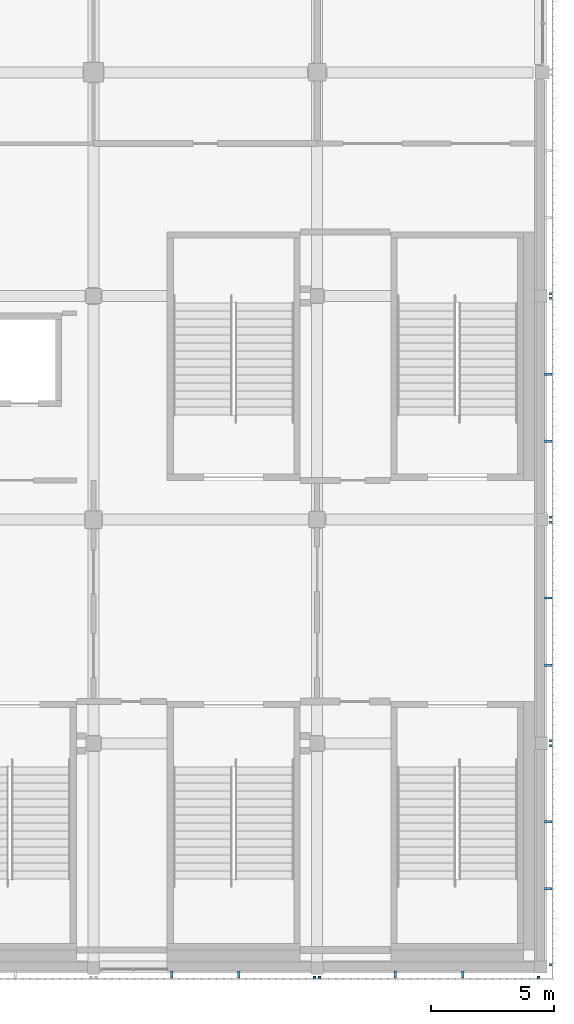
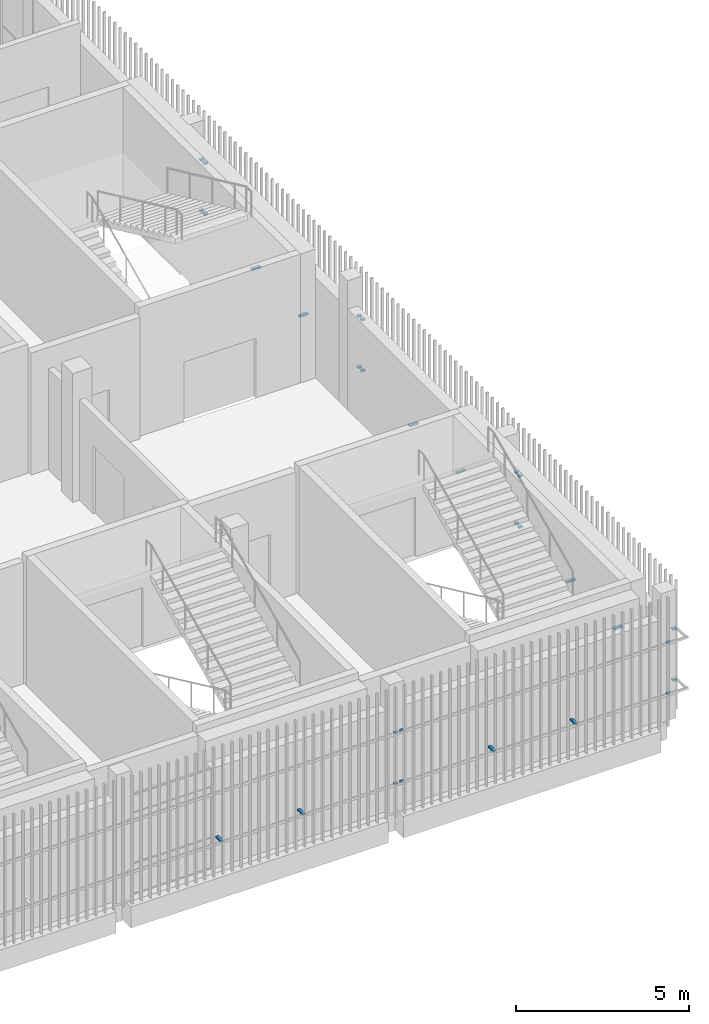
# One storey, part 109 of 139: 30 discrete accessories.
"""IFC4 building model written with IfcOpenShell, lengths in metres."""

from ifc_helpers import new_model, si_unit, direction, frame, origin, origin_2d, place, context, subcontext, project, spatial, rectangle, extrude, material, type_object, element, save


model = new_model("IFC4")

# Units and contexts
model_context = context("Model", 3, precision=1e-05, world=origin(), true_north=direction((0.0, 1.0)))
body_context = subcontext(model_context, "Body", "Model", "MODEL_VIEW")
ifc_project = project(units=[si_unit("LENGTHUNIT", "METRE"), si_unit("AREAUNIT", "SQUARE_METRE"), si_unit("VOLUMEUNIT", "CUBIC_METRE"), si_unit("PLANEANGLEUNIT", "RADIAN"), si_unit("MASSUNIT", "GRAM", prefix="KILO")], contexts=[model_context])

# Site, building, storey
site_placement = place(None, origin())
site = spatial("IfcSite", under=ifc_project, at=site_placement, CompositionType="ELEMENT")
building_placement = place(site_placement, origin())
building = spatial("IfcBuilding", under=site, at=building_placement, Name="Shirokan Park Arena", CompositionType="ELEMENT")
storey_placement = place(building_placement, frame((0.0, 0.0, 15.469970703125)))
storey = spatial("IfcBuildingStorey", under=building, at=storey_placement, Name="L03", CompositionType="ELEMENT", Elevation=15.469970703125)

# Discrete accessories
ifc_material = material(Name="Steel S355", Category="steel")
discrete_accessory_type = type_object("IfcDiscreteAccessoryType", Name="Veil bracket 100x60", PredefinedType="BRACKET", material=ifc_material)
for number, where, z_axis, x_axis, name in (
    (1, (136.39990234375, -0.409912109375, 1.070068359375), (0.0, 0.0, 1.0), (1.0, 0.0, 0.0), "Veil bracket south bay 15 L03 2"),
    (2, (136.39990234375, -0.409912109375, 2.8701171875), (0.0, 0.0, 1.0), (1.0, 0.0, 0.0), "Veil bracket south bay 15 L03 4"),
):
    element("IfcDiscreteAccessory", number, at=place(storey_placement, frame(where, z_axis=z_axis, x_axis=x_axis)), inside=storey, type_object=discrete_accessory_type, Name=name, PredefinedType="BRACKET", context=body_context, shape_type="SweptSolid", body=[
        extrude(rectangle(XDim=0.10009765625, YDim=0.070068359375, at=origin_2d()), origin(), (0.0, 0.0, 1.0), 0.06005859375),
    ])
for number, where, z_axis, x_axis, name in (
    (3, (130.5849609375, -0.297607421875, 1.070068359375), (0.0, 0.0, 1.0), (1.0, 0.0, 0.0), "Veil bracket south bay 15 L03 wall 1"),
    (4, (133.31494140625, -0.297607421875, 1.070068359375), (0.0, 0.0, 1.0), (1.0, 0.0, 0.0), "Veil bracket south bay 15 L03 wall 2"),
):
    element("IfcDiscreteAccessory", number, at=place(storey_placement, frame(where, z_axis=z_axis, x_axis=x_axis)), inside=storey, type_object=discrete_accessory_type, Name=name, PredefinedType="BRACKET", context=body_context, shape_type="SweptSolid", body=[
        extrude(rectangle(XDim=0.10009765625, YDim=0.294921875, at=origin_2d()), origin(), (0.0, 0.0, 1.0), 0.06005859375),
    ])
for number, where, z_axis, x_axis, name in (
    (5, (136.60009765625, -0.409912109375, 1.070068359375), (0.0, 0.0, 1.0), (1.0, 0.0, 0.0), "Veil bracket south bay 16 L03 1"),
    (6, (145.5, -0.409912109375, 1.070068359375), (0.0, 0.0, 1.0), (1.0, 0.0, 0.0), "Veil bracket south bay 16 L03 2"),
    (7, (136.60009765625, -0.409912109375, 2.8701171875), (0.0, 0.0, 1.0), (1.0, 0.0, 0.0), "Veil bracket south bay 16 L03 3"),
    (8, (145.5, -0.409912109375, 2.8701171875), (0.0, 0.0, 1.0), (1.0, 0.0, 0.0), "Veil bracket south bay 16 L03 4"),
):
    element("IfcDiscreteAccessory", number, at=place(storey_placement, frame(where, z_axis=z_axis, x_axis=x_axis)), inside=storey, type_object=discrete_accessory_type, Name=name, PredefinedType="BRACKET", context=body_context, shape_type="SweptSolid", body=[
        extrude(rectangle(XDim=0.10009765625, YDim=0.070068359375, at=origin_2d()), origin(), (0.0, 0.0, 1.0), 0.06005859375),
    ])
for number, where, z_axis, x_axis, name in (
    (9, (139.68505859375, -0.297607421875, 1.070068359375), (0.0, 0.0, 1.0), (1.0, 0.0, 0.0), "Veil bracket south bay 16 L03 wall 1"),
    (10, (142.4150390625, -0.297607421875, 1.070068359375), (0.0, 0.0, 1.0), (1.0, 0.0, 0.0), "Veil bracket south bay 16 L03 wall 2"),
):
    element("IfcDiscreteAccessory", number, at=place(storey_placement, frame(where, z_axis=z_axis, x_axis=x_axis)), inside=storey, type_object=discrete_accessory_type, Name=name, PredefinedType="BRACKET", context=body_context, shape_type="SweptSolid", body=[
        extrude(rectangle(XDim=0.10009765625, YDim=0.294921875, at=origin_2d()), origin(), (0.0, 0.0, 1.0), 0.06005859375),
    ])
for number, where, z_axis, x_axis, name in (
    (11, (145.985107421875, 0.10009765625, 1.070068359375), (0.0, 0.0, 1.0), (0.0, 1.0, 0.0), "Veil bracket east bay 1 L03 1"),
    (12, (145.985107421875, 9.0, 1.070068359375), (0.0, 0.0, 1.0), (0.0, 1.0, 0.0), "Veil bracket east bay 1 L03 2"),
    (13, (145.985107421875, 0.10009765625, 2.8701171875), (0.0, 0.0, 1.0), (0.0, 1.0, 0.0), "Veil bracket east bay 1 L03 3"),
    (14, (145.985107421875, 9.0, 2.8701171875), (0.0, 0.0, 1.0), (0.0, 1.0, 0.0), "Veil bracket east bay 1 L03 4"),
):
    element("IfcDiscreteAccessory", number, at=place(storey_placement, frame(where, z_axis=z_axis, x_axis=x_axis)), inside=storey, type_object=discrete_accessory_type, Name=name, PredefinedType="BRACKET", context=body_context, shape_type="SweptSolid", body=[
        extrude(rectangle(XDim=0.10009765625, YDim=0.1201171875, at=origin_2d()), origin(), (0.0, 0.0, 1.0), 0.06005859375),
    ])
for number, where, z_axis, x_axis, name in (
    (15, (145.8974609375, 3.18505859375, 1.070068359375), (0.0, 0.0, 1.0), (0.0, 1.0, 0.0), "Veil bracket east bay 1 L03 wall 1"),
    (16, (145.8974609375, 5.9150390625, 1.070068359375), (0.0, 0.0, 1.0), (0.0, 1.0, 0.0), "Veil bracket east bay 1 L03 wall 2"),
):
    element("IfcDiscreteAccessory", number, at=place(storey_placement, frame(where, z_axis=z_axis, x_axis=x_axis)), inside=storey, type_object=discrete_accessory_type, Name=name, PredefinedType="BRACKET", context=body_context, shape_type="SweptSolid", body=[
        extrude(rectangle(XDim=0.10009765625, YDim=0.294921875, at=origin_2d()), origin(), (0.0, 0.0, 1.0), 0.06005859375),
    ])
for number, where, z_axis, x_axis, name in (
    (17, (145.985107421875, 9.199951171875, 1.070068359375), (0.0, 0.0, 1.0), (0.0, 1.0, 0.0), "Veil bracket east bay 2 L03 1"),
    (18, (145.985107421875, 18.10009765625, 1.070068359375), (0.0, 0.0, 1.0), (0.0, 1.0, 0.0), "Veil bracket east bay 2 L03 2"),
    (19, (145.985107421875, 9.199951171875, 2.8701171875), (0.0, 0.0, 1.0), (0.0, 1.0, 0.0), "Veil bracket east bay 2 L03 3"),
    (20, (145.985107421875, 18.10009765625, 2.8701171875), (0.0, 0.0, 1.0), (0.0, 1.0, 0.0), "Veil bracket east bay 2 L03 4"),
):
    element("IfcDiscreteAccessory", number, at=place(storey_placement, frame(where, z_axis=z_axis, x_axis=x_axis)), inside=storey, type_object=discrete_accessory_type, Name=name, PredefinedType="BRACKET", context=body_context, shape_type="SweptSolid", body=[
        extrude(rectangle(XDim=0.10009765625, YDim=0.1201171875, at=origin_2d()), origin(), (0.0, 0.0, 1.0), 0.06005859375),
    ])
for number, where, z_axis, x_axis, name in (
    (21, (145.8974609375, 12.284912109375, 1.070068359375), (0.0, 0.0, 1.0), (0.0, 1.0, 0.0), "Veil bracket east bay 2 L03 wall 1"),
    (22, (145.8974609375, 15.014892578125, 1.070068359375), (0.0, 0.0, 1.0), (0.0, 1.0, 0.0), "Veil bracket east bay 2 L03 wall 2"),
):
    element("IfcDiscreteAccessory", number, at=place(storey_placement, frame(where, z_axis=z_axis, x_axis=x_axis)), inside=storey, type_object=discrete_accessory_type, Name=name, PredefinedType="BRACKET", context=body_context, shape_type="SweptSolid", body=[
        extrude(rectangle(XDim=0.10009765625, YDim=0.294921875, at=origin_2d()), origin(), (0.0, 0.0, 1.0), 0.06005859375),
    ])
for number, where, z_axis, x_axis, name in (
    (23, (145.985107421875, 18.300048828125, 1.070068359375), (0.0, 0.0, 1.0), (0.0, 1.0, 0.0), "Veil bracket east bay 3 L03 1"),
    (24, (145.985107421875, 27.199951171875, 1.070068359375), (0.0, 0.0, 1.0), (0.0, 1.0, 0.0), "Veil bracket east bay 3 L03 2"),
    (25, (145.985107421875, 18.300048828125, 2.8701171875), (0.0, 0.0, 1.0), (0.0, 1.0, 0.0), "Veil bracket east bay 3 L03 3"),
    (26, (145.985107421875, 27.199951171875, 2.8701171875), (0.0, 0.0, 1.0), (0.0, 1.0, 0.0), "Veil bracket east bay 3 L03 4"),
):
    element("IfcDiscreteAccessory", number, at=place(storey_placement, frame(where, z_axis=z_axis, x_axis=x_axis)), inside=storey, type_object=discrete_accessory_type, Name=name, PredefinedType="BRACKET", context=body_context, shape_type="SweptSolid", body=[
        extrude(rectangle(XDim=0.10009765625, YDim=0.1201171875, at=origin_2d()), origin(), (0.0, 0.0, 1.0), 0.06005859375),
    ])
for number, where, z_axis, x_axis, name in (
    (27, (145.8974609375, 21.385009765625, 1.070068359375), (0.0, 0.0, 1.0), (0.0, 1.0, 0.0), "Veil bracket east bay 3 L03 wall 1"),
    (28, (145.8974609375, 24.114990234375, 1.070068359375), (0.0, 0.0, 1.0), (0.0, 1.0, 0.0), "Veil bracket east bay 3 L03 wall 2"),
):
    element("IfcDiscreteAccessory", number, at=place(storey_placement, frame(where, z_axis=z_axis, x_axis=x_axis)), inside=storey, type_object=discrete_accessory_type, Name=name, PredefinedType="BRACKET", context=body_context, shape_type="SweptSolid", body=[
        extrude(rectangle(XDim=0.10009765625, YDim=0.294921875, at=origin_2d()), origin(), (0.0, 0.0, 1.0), 0.06005859375),
    ])
for number, where, z_axis, x_axis, name in (
    (29, (145.985107421875, 27.39990234375, 1.070068359375), (0.0, 0.0, 1.0), (0.0, 1.0, 0.0), "Veil bracket east bay 4 L03 1"),
    (30, (145.985107421875, 27.39990234375, 2.8701171875), (0.0, 0.0, 1.0), (0.0, 1.0, 0.0), "Veil bracket east bay 4 L03 3"),
):
    element("IfcDiscreteAccessory", number, at=place(storey_placement, frame(where, z_axis=z_axis, x_axis=x_axis)), inside=storey, type_object=discrete_accessory_type, Name=name, PredefinedType="BRACKET", context=body_context, shape_type="SweptSolid", body=[
        extrude(rectangle(XDim=0.10009765625, YDim=0.1201171875, at=origin_2d()), origin(), (0.0, 0.0, 1.0), 0.06005859375),
    ])

save(model, "model.ifc")
